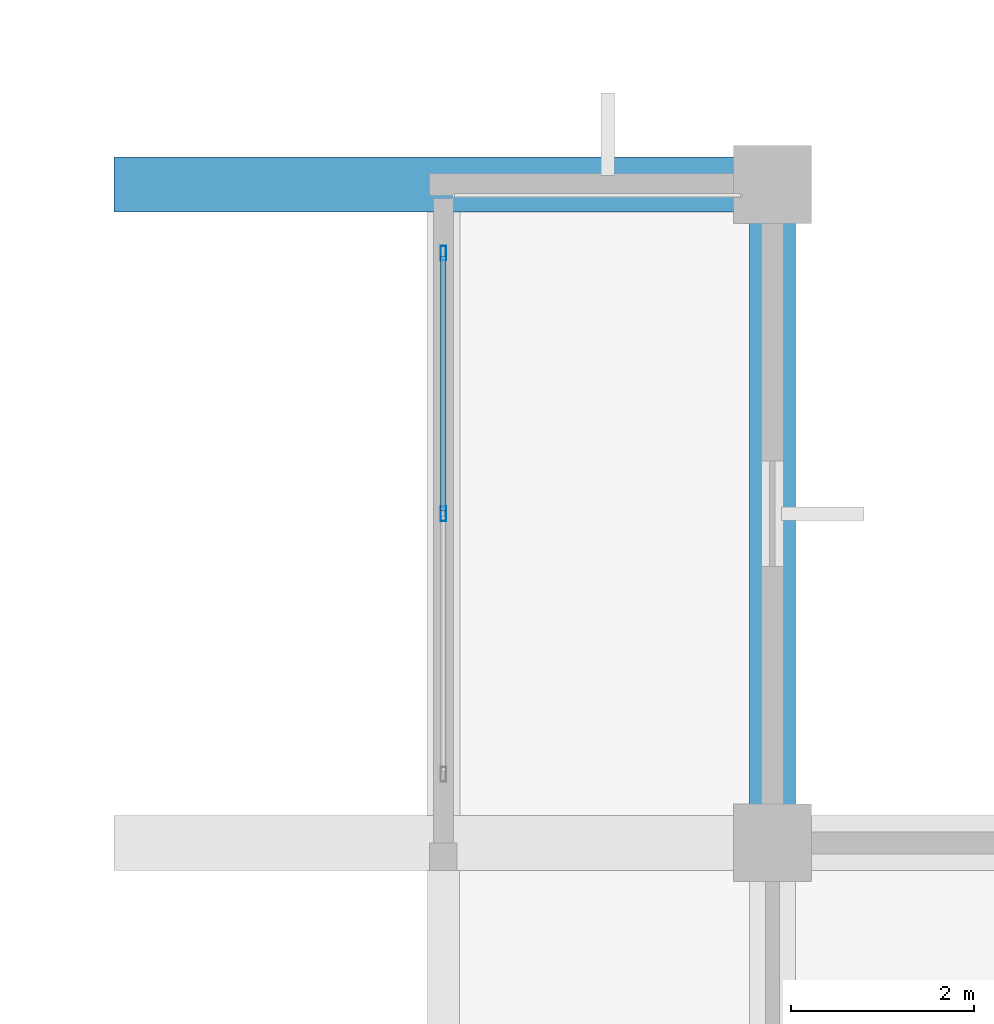
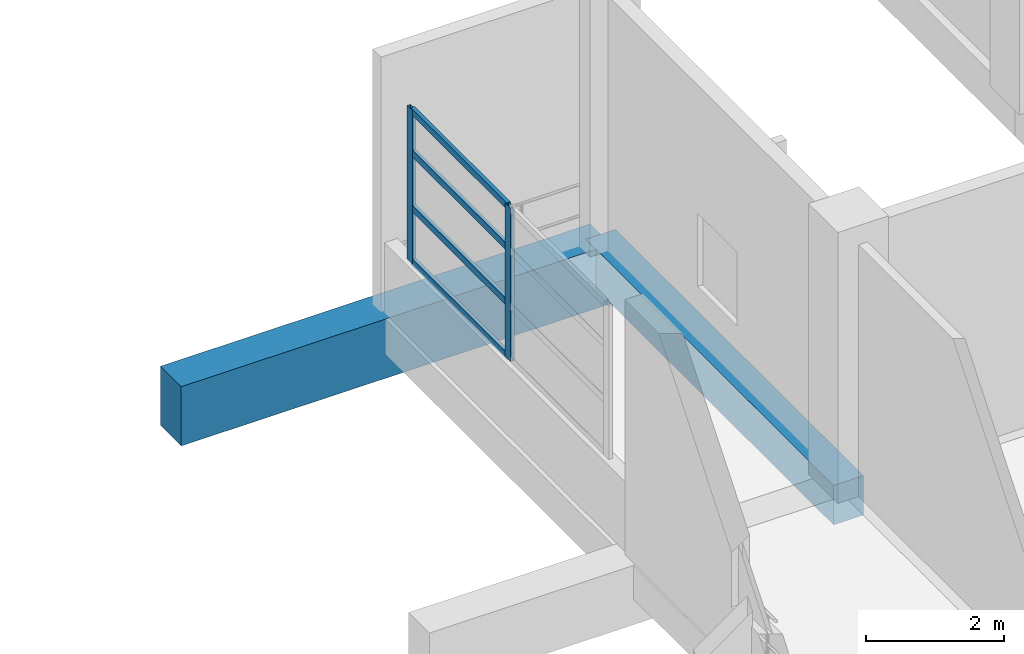
# One storey, part 64 of 181: 6 members, 2 beams, 1 element without a shape of its own.
"""IFC4 building model written with IfcOpenShell, lengths in metres."""

from ifc_helpers import new_model, si_unit, direction, frame, origin, origin_2d, place, context, subcontext, project, spatial, rectangle, hollow_rectangle, extrude, material, layer, layer_set, material_profile, profile_set, type_object, element, aggregate, save


model = new_model("IFC4")

# Units and contexts
model_context = context("Model", 3, precision=1e-05, world=origin(), true_north=direction((0.0, 1.0)))
body_context = subcontext(model_context, "Body", "Model", "MODEL_VIEW")
ifc_project = project(units=[si_unit("LENGTHUNIT", "METRE"), si_unit("AREAUNIT", "SQUARE_METRE"), si_unit("VOLUMEUNIT", "CUBIC_METRE"), si_unit("PLANEANGLEUNIT", "RADIAN"), si_unit("MASSUNIT", "GRAM", prefix="KILO")], contexts=[model_context])

# Site, building, storey
site_placement = place(None, origin())
site = spatial("IfcSite", under=ifc_project, at=site_placement, CompositionType="ELEMENT")
building_placement = place(site_placement, origin())
building = spatial("IfcBuilding", under=site, at=building_placement, Name="Seraya Terrace Polytechnic", CompositionType="ELEMENT")
storey_placement = place(building_placement, frame((0.0, 0.0, 4.800048828125)))
storey = spatial("IfcBuildingStorey", under=building, at=storey_placement, Name="L01", CompositionType="ELEMENT", Elevation=4.800048828125)

# Beams
ifc_material_1 = material(Name="Concrete C40/50", Category="concrete")
ifc_material_profile_1 = material_profile(ifc_material_1, rectangle(XDim=0.60009765625, YDim=1.050048828125, at=origin_2d()), Name="RC 600x1050")
ifc_profile_set_1 = profile_set([ifc_material_profile_1], Name="Concrete C40/50")
beam_type_1 = type_object("IfcBeamType", Name="BM-01", PredefinedType="BEAM", material=ifc_profile_set_1)
beam_1_placement = place(storey_placement, frame((0.0, 86.39990234375, -0.525146484375), z_axis=(1.0, 0.0, 0.0), x_axis=(0.0, 1.0, 0.0)))
element("IfcBeam", 1, at=beam_1_placement, inside=storey, type_object=beam_type_1, Name="Beam BM-01 L01 X (0.0..7.2, 86.4)", PredefinedType="BEAM", context=body_context, shape_type="SweptSolid", body=[
    extrude(rectangle(XDim=0.60009765625, YDim=1.050048828125, at=origin_2d()), origin(), (0.0, 0.0, 1.0), 7.199951171875),
])
ifc_material_profile_2 = material_profile(ifc_material_1, rectangle(XDim=0.5, YDim=0.699951171875, at=origin_2d()), Name="RC 500x700")
ifc_profile_set_2 = profile_set([ifc_material_profile_2], Name="Concrete C40/50")
beam_type_2 = type_object("IfcBeamType", Name="BM-07", PredefinedType="BEAM", material=ifc_profile_set_2)
beam_2_placement = place(storey_placement, frame((7.199951171875, 79.199951171875, -0.35009765625), z_axis=(0.0, 1.0, 0.0), x_axis=(-1.0, 0.0, 0.0)))
element("IfcBeam", 2, at=beam_2_placement, inside=storey, type_object=beam_type_2, Name="Beam BM-07 L01 Y (7.2, 79.2..86.4)", PredefinedType="BEAM", context=body_context, shape_type="SweptSolid", body=[
    extrude(rectangle(XDim=0.5, YDim=0.699951171875, at=origin_2d()), origin(), (0.0, 0.0, 1.0), 7.199951171875),
])

# Curtain wall, members
ifc_material_2 = material(Name="Anodised aluminium EN AW-6063 T6", Category="aluminium")
ifc_layer = layer(ifc_material_2, 0.179931640625, Name="CW-05")
ifc_layer_set = layer_set([ifc_layer], Name="Anodised aluminium EN AW-6063 T6")
curtain_wall_type = type_object("IfcCurtainWallType", Name="CW-05", PredefinedType="NOTDEFINED", material=ifc_layer_set)
curtain_wall_placement = place(storey_placement, origin())
curtain_wall = element("IfcCurtainWall", 3, at=curtain_wall_placement, inside=storey, type_object=curtain_wall_type, Name="Unitised curtain wall CW-05 (CW-L01-005)", PredefinedType="NOTDEFINED")
ifc_material_profile_3 = material_profile(ifc_material_2, hollow_rectangle(XDim=0.06005859375, YDim=0.159912109375, WallThickness=0.00341796875, at=origin_2d()), Name="RHS 160x60x3.5")
ifc_profile_set_3 = profile_set([ifc_material_profile_3], Name="Anodised aluminium EN AW-6063 T6")
member_type_1 = type_object("IfcMemberType", Name="CWM-02", PredefinedType="MULLION", material=ifc_profile_set_3)
member_1_placement = place(storey_placement, frame((3.60009765625, 82.800048828125, 1.239990234375), z_axis=(0.0, 0.0, 1.0), x_axis=(-1.0, 0.0, 0.0)))
member_1 = element("IfcMember", 4, at=member_1_placement, type_object=member_type_1, Name="CW-05 mullion 2", PredefinedType="MULLION", context=body_context, shape_type="SweptSolid", body=[
    extrude(hollow_rectangle(XDim=0.06005859375, YDim=0.159912109375, WallThickness=0.00341796875, at=origin_2d()), origin(), (0.0, 0.0, 1.0), 2.719970703125),
])
member_2_placement = place(storey_placement, frame((3.60009765625, 85.64990234375, 1.239990234375), z_axis=(0.0, 0.0, 1.0), x_axis=(-1.0, 0.0, 0.0)))
member_2 = element("IfcMember", 5, at=member_2_placement, type_object=member_type_1, Name="CW-05 mullion 3", PredefinedType="MULLION", context=body_context, shape_type="SweptSolid", body=[
    extrude(hollow_rectangle(XDim=0.06005859375, YDim=0.159912109375, WallThickness=0.00341796875, at=origin_2d()), origin(), (0.0, 0.0, 1.0), 2.719970703125),
])
ifc_material_profile_4 = material_profile(ifc_material_2, hollow_rectangle(XDim=0.06005859375, YDim=0.1201171875, WallThickness=0.003173828125, at=origin_2d()), Name="RHS 120x60x3.2")
ifc_profile_set_4 = profile_set([ifc_material_profile_4], Name="Anodised aluminium EN AW-6063 T6")
member_type_2 = type_object("IfcMemberType", Name="CWT-02", PredefinedType="USERDEFINED", material=ifc_profile_set_4)
member_3_placement = place(storey_placement, frame((3.60009765625, 82.830078125, 1.27001953125), z_axis=(0.0, 1.0, 0.0), x_axis=(-1.0, 0.0, 0.0)))
member_3 = element("IfcMember", 6, at=member_3_placement, type_object=member_type_2, Name="CW-05 transom 2.1", ObjectType="TRANSOM", PredefinedType="USERDEFINED", context=body_context, shape_type="SweptSolid", body=[
    extrude(hollow_rectangle(XDim=0.06005859375, YDim=0.1201171875, WallThickness=0.003173828125, at=origin_2d()), origin(), (0.0, 0.0, 1.0), 2.7900390625),
])
member_4_placement = place(storey_placement, frame((3.60009765625, 82.830078125, 2.21923828125), z_axis=(0.0, 1.0, 0.0), x_axis=(-1.0, 0.0, 0.0)))
member_4 = element("IfcMember", 7, at=member_4_placement, type_object=member_type_2, Name="CW-05 transom 2.2", ObjectType="TRANSOM", PredefinedType="USERDEFINED", context=body_context, shape_type="SweptSolid", body=[
    extrude(hollow_rectangle(XDim=0.06005859375, YDim=0.1201171875, WallThickness=0.003173828125, at=origin_2d()), origin(), (0.0, 0.0, 1.0), 2.7900390625),
])
member_5_placement = place(storey_placement, frame((3.60009765625, 82.830078125, 3.1982421875), z_axis=(0.0, 1.0, 0.0), x_axis=(-1.0, 0.0, 0.0)))
member_5 = element("IfcMember", 8, at=member_5_placement, type_object=member_type_2, Name="CW-05 transom 2.3", ObjectType="TRANSOM", PredefinedType="USERDEFINED", context=body_context, shape_type="SweptSolid", body=[
    extrude(hollow_rectangle(XDim=0.06005859375, YDim=0.1201171875, WallThickness=0.003173828125, at=origin_2d()), origin(), (0.0, 0.0, 1.0), 2.7900390625),
])
member_6_placement = place(storey_placement, frame((3.60009765625, 82.830078125, 3.929931640625), z_axis=(0.0, 1.0, 0.0), x_axis=(-1.0, 0.0, 0.0)))
member_6 = element("IfcMember", 9, at=member_6_placement, type_object=member_type_2, Name="CW-05 transom 2.4", ObjectType="TRANSOM", PredefinedType="USERDEFINED", context=body_context, shape_type="SweptSolid", body=[
    extrude(hollow_rectangle(XDim=0.06005859375, YDim=0.1201171875, WallThickness=0.003173828125, at=origin_2d()), origin(), (0.0, 0.0, 1.0), 2.7900390625),
])
aggregate(curtain_wall, [member_1, member_2, member_3, member_4, member_5, member_6])

save(model, "model.ifc")
